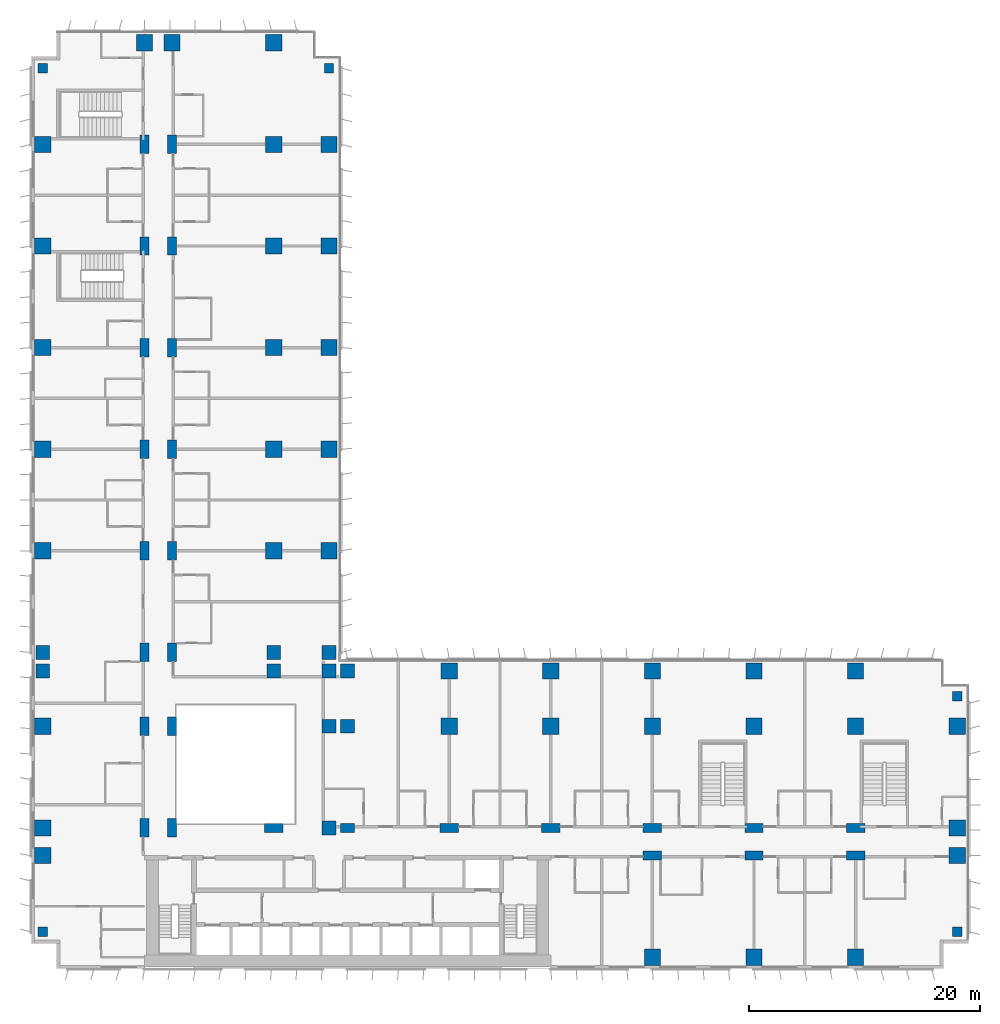
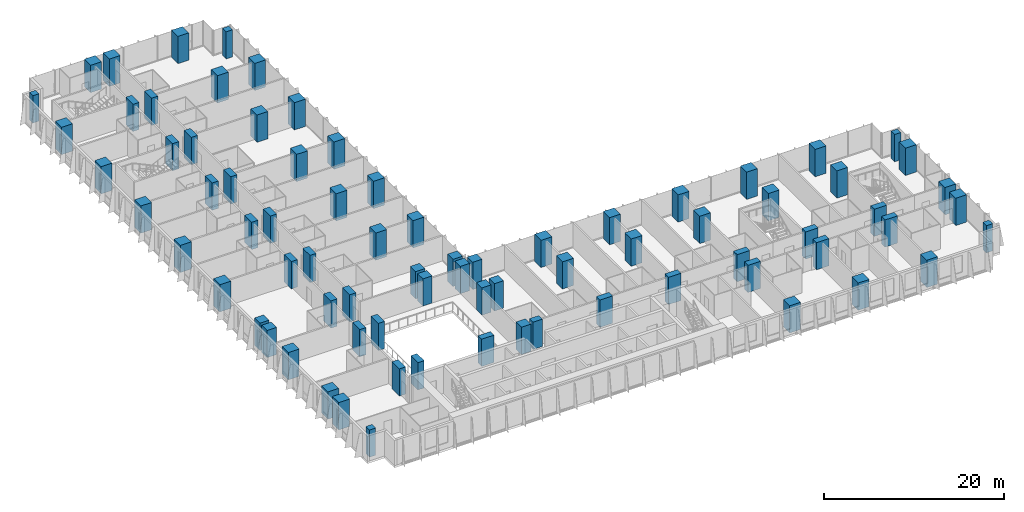
# One storey, part 1 of 24: 78 columns.
"""IFC4 building model written with IfcOpenShell, lengths in metres."""

from ifc_helpers import new_model, si_unit, direction, frame, origin, origin_2d, place, context, subcontext, project, spatial, rectangle, extrude, material, material_profile, profile_set, type_object, element, save


model = new_model("IFC4")

# Units and contexts
model_context = context("Model", 3, precision=1e-05, world=origin(), true_north=direction((0.0, 1.0)))
body_context = subcontext(model_context, "Body", "Model", "MODEL_VIEW")
ifc_project = project(units=[si_unit("LENGTHUNIT", "METRE"), si_unit("AREAUNIT", "SQUARE_METRE"), si_unit("VOLUMEUNIT", "CUBIC_METRE"), si_unit("PLANEANGLEUNIT", "RADIAN"), si_unit("MASSUNIT", "GRAM", prefix="KILO")], contexts=[model_context])

# Site, building, storey
site_placement = place(None, origin())
site = spatial("IfcSite", under=ifc_project, at=site_placement, CompositionType="ELEMENT")
building_placement = place(site_placement, origin())
building = spatial("IfcBuilding", under=site, at=building_placement, Name="Kemantara Hotel Tower", CompositionType="ELEMENT")
storey_placement = place(building_placement, frame((0.0, 0.0, 37.699951171875)))
storey = spatial("IfcBuildingStorey", under=building, at=storey_placement, Name="L07", CompositionType="ELEMENT", Elevation=37.699951171875)

# Columns
ifc_material = material(Name="Concrete fc 70 MPa", Category="concrete")
ifc_material_profile_1 = material_profile(ifc_material, rectangle(XDim=1.199951171875, YDim=1.199951171875, at=origin_2d()), Name="RC 1200X1200")
ifc_profile_set_1 = profile_set([ifc_material_profile_1], Name="Concrete fc 70 MPa")
column_type_1 = type_object("IfcColumnType", Name="RC COLUMN 1200X1200 FC70", PredefinedType="COLUMN", material=ifc_profile_set_1)
for number, where, z_axis, x_axis, name in (
    (1, (1.0, 25.800048828125, 0.0), (0.0, 0.0, 1.0), (1.0, 0.0, 0.0), "COLUMN 1/CA L07"),
    (2, (1.0, 27.39990234375, 0.0), (0.0, 0.0, 1.0), (1.0, 0.0, 0.0), "COLUMN 1/D L07"),
    (3, (21.0, 25.800048828125, 0.0), (0.0, 0.0, 1.0), (1.0, 0.0, 0.0), "COLUMN 3/CA L07"),
    (4, (21.0, 27.39990234375, 0.0), (0.0, 0.0, 1.0), (1.0, 0.0, 0.0), "COLUMN 3/D L07"),
    (5, (25.800048828125, 12.199951171875, 0.0), (0.0, 0.0, 1.0), (1.0, 0.0, 0.0), "COLUMN 3A/BA L07"),
    (6, (25.800048828125, 21.0, 0.0), (0.0, 0.0, 1.0), (1.0, 0.0, 0.0), "COLUMN 3A/C L07"),
    (7, (25.800048828125, 25.800048828125, 0.0), (0.0, 0.0, 1.0), (1.0, 0.0, 0.0), "COLUMN 3A/CA L07"),
    (8, (25.800048828125, 27.39990234375, 0.0), (0.0, 0.0, 1.0), (1.0, 0.0, 0.0), "COLUMN 3A/D L07"),
    (9, (27.39990234375, 21.0, 0.0), (0.0, 0.0, 1.0), (1.0, 0.0, 0.0), "COLUMN 4/C L07"),
    (10, (27.39990234375, 25.800048828125, 0.0), (0.0, 0.0, 1.0), (1.0, 0.0, 0.0), "COLUMN 4/CA L07"),
):
    element("IfcColumn", number, at=place(storey_placement, frame(where, z_axis=z_axis, x_axis=x_axis)), inside=storey, type_object=column_type_1, Name=name, PredefinedType="COLUMN", context=body_context, shape_type="SweptSolid", body=[
        extrude(rectangle(XDim=1.199951171875, YDim=1.199951171875, at=origin_2d()), origin(), (0.0, 0.0, 1.0), 3.699951171875),
    ])
ifc_material_profile_2 = material_profile(ifc_material, rectangle(XDim=1.199951171875, YDim=0.800048828125, at=origin_2d()), Name="RC 1200X800")
ifc_profile_set_2 = profile_set([ifc_material_profile_2], Name="Concrete fc 70 MPa")
column_type_2 = type_object("IfcColumnType", Name="RC COLUMN 1200X800 FC70", PredefinedType="COLUMN", material=ifc_profile_set_2)
column_placement = place(storey_placement, frame((27.39990234375, 12.199951171875, 0.0), z_axis=(0.0, 0.0, 1.0), x_axis=(1.0, 0.0, 0.0)))
element("IfcColumn", 11, at=column_placement, inside=storey, type_object=column_type_2, Name="COLUMN 4/BA L07", PredefinedType="COLUMN", context=body_context, shape_type="SweptSolid", body=[
    extrude(rectangle(XDim=1.199951171875, YDim=0.800048828125, at=origin_2d()), origin(), (0.0, 0.0, 1.0), 3.699951171875),
])
ifc_material_profile_3 = material_profile(ifc_material, rectangle(XDim=1.39990234375, YDim=1.39990234375, at=origin_2d()), Name="RC 1400X1400")
ifc_profile_set_3 = profile_set([ifc_material_profile_3], Name="Concrete fc 70 MPa")
column_type_3 = type_object("IfcColumnType", Name="RC COLUMN 1400X1400 FC70", PredefinedType="COLUMN", material=ifc_profile_set_3)
for number, where, z_axis, x_axis, name in (
    (12, (1.0, 9.800048828125, 0.0), (0.0, 0.0, 1.0), (1.0, 0.0, 0.0), "COLUMN 1/B L07"),
    (13, (1.0, 12.199951171875, 0.0), (0.0, 0.0, 1.0), (1.0, 0.0, 0.0), "COLUMN 1/BA L07"),
    (14, (1.0, 21.0, 0.0), (0.0, 0.0, 1.0), (1.0, 0.0, 0.0), "COLUMN 1/C L07"),
    (15, (1.0, 36.199951171875, 0.0), (0.0, 0.0, 1.0), (1.0, 0.0, 0.0), "COLUMN 1/E L07"),
    (16, (1.0, 45.0, 0.0), (0.0, 0.0, 1.0), (1.0, 0.0, 0.0), "COLUMN 1/F L07"),
    (17, (1.0, 53.800048828125, 0.0), (0.0, 0.0, 1.0), (1.0, 0.0, 0.0), "COLUMN 1/G L07"),
    (18, (1.0, 62.60009765625, 0.0), (0.0, 0.0, 1.0), (1.0, 0.0, 0.0), "COLUMN 1/H L07"),
    (19, (1.0, 71.39990234375, 0.0), (0.0, 0.0, 1.0), (1.0, 0.0, 0.0), "COLUMN 1/J L07"),
    (20, (9.800048828125, 80.199951171875, 0.0), (0.0, 0.0, 1.0), (1.0, 0.0, 0.0), "COLUMN 2/K L07"),
    (21, (12.199951171875, 80.199951171875, 0.0), (0.0, 0.0, 1.0), (1.0, 0.0, 0.0), "COLUMN 2A/K L07"),
    (22, (21.0, 36.199951171875, 0.0), (0.0, 0.0, 1.0), (1.0, 0.0, 0.0), "COLUMN 3/E L07"),
    (23, (21.0, 45.0, 0.0), (0.0, 0.0, 1.0), (1.0, 0.0, 0.0), "COLUMN 3/F L07"),
    (24, (21.0, 53.800048828125, 0.0), (0.0, 0.0, 1.0), (1.0, 0.0, 0.0), "COLUMN 3/G L07"),
    (25, (21.0, 62.60009765625, 0.0), (0.0, 0.0, 1.0), (1.0, 0.0, 0.0), "COLUMN 3/H L07"),
    (26, (21.0, 71.39990234375, 0.0), (0.0, 0.0, 1.0), (1.0, 0.0, 0.0), "COLUMN 3/J L07"),
    (27, (21.0, 80.199951171875, 0.0), (0.0, 0.0, 1.0), (1.0, 0.0, 0.0), "COLUMN 3/K L07"),
    (28, (25.800048828125, 36.199951171875, 0.0), (0.0, 0.0, 1.0), (1.0, 0.0, 0.0), "COLUMN 3A/E L07"),
    (29, (25.800048828125, 45.0, 0.0), (0.0, 0.0, 1.0), (1.0, 0.0, 0.0), "COLUMN 3A/F L07"),
    (30, (25.800048828125, 53.800048828125, 0.0), (0.0, 0.0, 1.0), (1.0, 0.0, 0.0), "COLUMN 3A/G L07"),
    (31, (25.800048828125, 62.60009765625, 0.0), (0.0, 0.0, 1.0), (1.0, 0.0, 0.0), "COLUMN 3A/H L07"),
    (32, (25.800048828125, 71.39990234375, 0.0), (0.0, 0.0, 1.0), (1.0, 0.0, 0.0), "COLUMN 3A/J L07"),
    (33, (36.199951171875, 21.0, 0.0), (0.0, 0.0, 1.0), (1.0, 0.0, 0.0), "COLUMN 5/C L07"),
    (34, (36.199951171875, 25.800048828125, 0.0), (0.0, 0.0, 1.0), (1.0, 0.0, 0.0), "COLUMN 5/CA L07"),
    (35, (45.0, 21.0, 0.0), (0.0, 0.0, 1.0), (1.0, 0.0, 0.0), "COLUMN 6/C L07"),
    (36, (45.0, 25.800048828125, 0.0), (0.0, 0.0, 1.0), (1.0, 0.0, 0.0), "COLUMN 6/CA L07"),
    (37, (53.800048828125, 1.0, 0.0), (0.0, 0.0, 1.0), (1.0, 0.0, 0.0), "COLUMN 7/A L07"),
    (38, (53.800048828125, 21.0, 0.0), (0.0, 0.0, 1.0), (1.0, 0.0, 0.0), "COLUMN 7/C L07"),
    (39, (53.800048828125, 25.800048828125, 0.0), (0.0, 0.0, 1.0), (1.0, 0.0, 0.0), "COLUMN 7/CA L07"),
    (40, (62.60009765625, 1.0, 0.0), (0.0, 0.0, 1.0), (1.0, 0.0, 0.0), "COLUMN 8/A L07"),
    (41, (62.60009765625, 21.0, 0.0), (0.0, 0.0, 1.0), (1.0, 0.0, 0.0), "COLUMN 8/C L07"),
    (42, (62.60009765625, 25.800048828125, 0.0), (0.0, 0.0, 1.0), (1.0, 0.0, 0.0), "COLUMN 8/CA L07"),
    (43, (71.39990234375, 1.0, 0.0), (0.0, 0.0, 1.0), (1.0, 0.0, 0.0), "COLUMN 9/A L07"),
    (44, (71.39990234375, 21.0, 0.0), (0.0, 0.0, 1.0), (1.0, 0.0, 0.0), "COLUMN 9/C L07"),
    (45, (71.39990234375, 25.800048828125, 0.0), (0.0, 0.0, 1.0), (1.0, 0.0, 0.0), "COLUMN 9/CA L07"),
    (46, (80.199951171875, 9.800048828125, 0.0), (0.0, 0.0, 1.0), (1.0, 0.0, 0.0), "COLUMN 10/B L07"),
    (47, (80.199951171875, 12.199951171875, 0.0), (0.0, 0.0, 1.0), (1.0, 0.0, 0.0), "COLUMN 10/BA L07"),
    (48, (80.199951171875, 21.0, 0.0), (0.0, 0.0, 1.0), (1.0, 0.0, 0.0), "COLUMN 10/C L07"),
):
    element("IfcColumn", number, at=place(storey_placement, frame(where, z_axis=z_axis, x_axis=x_axis)), inside=storey, type_object=column_type_3, Name=name, PredefinedType="COLUMN", context=body_context, shape_type="SweptSolid", body=[
        extrude(rectangle(XDim=1.39990234375, YDim=1.39990234375, at=origin_2d()), origin(), (0.0, 0.0, 1.0), 3.699951171875),
    ])
ifc_material_profile_4 = material_profile(ifc_material, rectangle(XDim=1.60009765625, YDim=0.800048828125, at=origin_2d()), Name="RC 1600X800")
ifc_profile_set_4 = profile_set([ifc_material_profile_4], Name="Concrete fc 70 MPa")
column_type_4 = type_object("IfcColumnType", Name="RC COLUMN 1600X800 FC70", PredefinedType="COLUMN", material=ifc_profile_set_4)
for number, where, z_axis, x_axis, name in (
    (49, (9.800048828125, 12.199951171875, 0.0), (0.0, 0.0, 1.0), (0.0, 1.0, 0.0), "COLUMN 2/BA L07"),
    (50, (9.800048828125, 21.0, 0.0), (0.0, 0.0, 1.0), (0.0, 1.0, 0.0), "COLUMN 2/C L07"),
    (51, (9.800048828125, 27.39990234375, 0.0), (0.0, 0.0, 1.0), (0.0, 1.0, 0.0), "COLUMN 2/D L07"),
    (52, (9.800048828125, 36.199951171875, 0.0), (0.0, 0.0, 1.0), (0.0, 1.0, 0.0), "COLUMN 2/E L07"),
    (53, (9.800048828125, 45.0, 0.0), (0.0, 0.0, 1.0), (0.0, 1.0, 0.0), "COLUMN 2/F L07"),
    (54, (9.800048828125, 53.800048828125, 0.0), (0.0, 0.0, 1.0), (0.0, 1.0, 0.0), "COLUMN 2/G L07"),
    (55, (9.800048828125, 62.60009765625, 0.0), (0.0, 0.0, 1.0), (0.0, 1.0, 0.0), "COLUMN 2/H L07"),
    (56, (9.800048828125, 71.39990234375, 0.0), (0.0, 0.0, 1.0), (0.0, 1.0, 0.0), "COLUMN 2/J L07"),
    (57, (12.199951171875, 12.199951171875, 0.0), (0.0, 0.0, 1.0), (0.0, 1.0, 0.0), "COLUMN 2A/BA L07"),
    (58, (12.199951171875, 21.0, 0.0), (0.0, 0.0, 1.0), (0.0, 1.0, 0.0), "COLUMN 2A/C L07"),
    (59, (12.199951171875, 27.39990234375, 0.0), (0.0, 0.0, 1.0), (0.0, 1.0, 0.0), "COLUMN 2A/D L07"),
    (60, (12.199951171875, 36.199951171875, 0.0), (0.0, 0.0, 1.0), (0.0, 1.0, 0.0), "COLUMN 2A/E L07"),
    (61, (12.199951171875, 45.0, 0.0), (0.0, 0.0, 1.0), (0.0, 1.0, 0.0), "COLUMN 2A/F L07"),
    (62, (12.199951171875, 53.800048828125, 0.0), (0.0, 0.0, 1.0), (0.0, 1.0, 0.0), "COLUMN 2A/G L07"),
    (63, (12.199951171875, 62.60009765625, 0.0), (0.0, 0.0, 1.0), (0.0, 1.0, 0.0), "COLUMN 2A/H L07"),
    (64, (12.199951171875, 71.39990234375, 0.0), (0.0, 0.0, 1.0), (0.0, 1.0, 0.0), "COLUMN 2A/J L07"),
    (65, (21.0, 12.199951171875, 0.0), (0.0, 0.0, 1.0), (1.0, 0.0, 0.0), "COLUMN 3/BA L07"),
    (66, (36.199951171875, 12.199951171875, 0.0), (0.0, 0.0, 1.0), (1.0, 0.0, 0.0), "COLUMN 5/BA L07"),
    (67, (45.0, 12.199951171875, 0.0), (0.0, 0.0, 1.0), (1.0, 0.0, 0.0), "COLUMN 6/BA L07"),
    (68, (53.800048828125, 9.800048828125, 0.0), (0.0, 0.0, 1.0), (1.0, 0.0, 0.0), "COLUMN 7/B L07"),
    (69, (53.800048828125, 12.199951171875, 0.0), (0.0, 0.0, 1.0), (1.0, 0.0, 0.0), "COLUMN 7/BA L07"),
    (70, (62.60009765625, 9.800048828125, 0.0), (0.0, 0.0, 1.0), (1.0, 0.0, 0.0), "COLUMN 8/B L07"),
    (71, (62.60009765625, 12.199951171875, 0.0), (0.0, 0.0, 1.0), (1.0, 0.0, 0.0), "COLUMN 8/BA L07"),
    (72, (71.39990234375, 9.800048828125, 0.0), (0.0, 0.0, 1.0), (1.0, 0.0, 0.0), "COLUMN 9/B L07"),
    (73, (71.39990234375, 12.199951171875, 0.0), (0.0, 0.0, 1.0), (1.0, 0.0, 0.0), "COLUMN 9/BA L07"),
):
    element("IfcColumn", number, at=place(storey_placement, frame(where, z_axis=z_axis, x_axis=x_axis)), inside=storey, type_object=column_type_4, Name=name, PredefinedType="COLUMN", context=body_context, shape_type="SweptSolid", body=[
        extrude(rectangle(XDim=1.60009765625, YDim=0.800048828125, at=origin_2d()), origin(), (0.0, 0.0, 1.0), 3.699951171875),
    ])
ifc_material_profile_5 = material_profile(ifc_material, rectangle(XDim=0.800048828125, YDim=0.800048828125, at=origin_2d()), Name="RC 800X800")
ifc_profile_set_5 = profile_set([ifc_material_profile_5], Name="Concrete fc 70 MPa")
column_type_5 = type_object("IfcColumnType", Name="RC COLUMN 800X800 FC70", PredefinedType="COLUMN", material=ifc_profile_set_5)
for number, where, z_axis, x_axis, name in (
    (74, (1.0, 3.199951171875, 0.0), (0.0, 0.0, 1.0), (1.0, 0.0, 0.0), "COLUMN notch corner L07"),
    (75, (1.0, 78.0, 0.0), (0.0, 0.0, 1.0), (1.0, 0.0, 0.0), "COLUMN notch corner L07"),
    (76, (25.800048828125, 78.0, 0.0), (0.0, 0.0, 1.0), (1.0, 0.0, 0.0), "COLUMN notch corner L07"),
    (77, (80.199951171875, 3.199951171875, 0.0), (0.0, 0.0, 1.0), (1.0, 0.0, 0.0), "COLUMN notch corner L07"),
    (78, (80.199951171875, 23.60009765625, 0.0), (0.0, 0.0, 1.0), (1.0, 0.0, 0.0), "COLUMN notch corner L07"),
):
    element("IfcColumn", number, at=place(storey_placement, frame(where, z_axis=z_axis, x_axis=x_axis)), inside=storey, type_object=column_type_5, Name=name, PredefinedType="COLUMN", context=body_context, shape_type="SweptSolid", body=[
        extrude(rectangle(XDim=0.800048828125, YDim=0.800048828125, at=origin_2d()), origin(), (0.0, 0.0, 1.0), 3.699951171875),
    ])

save(model, "model.ifc")
